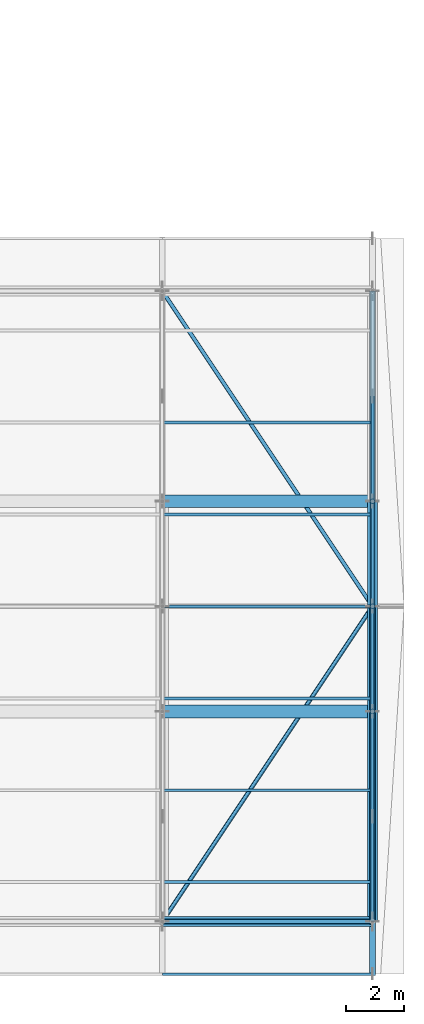
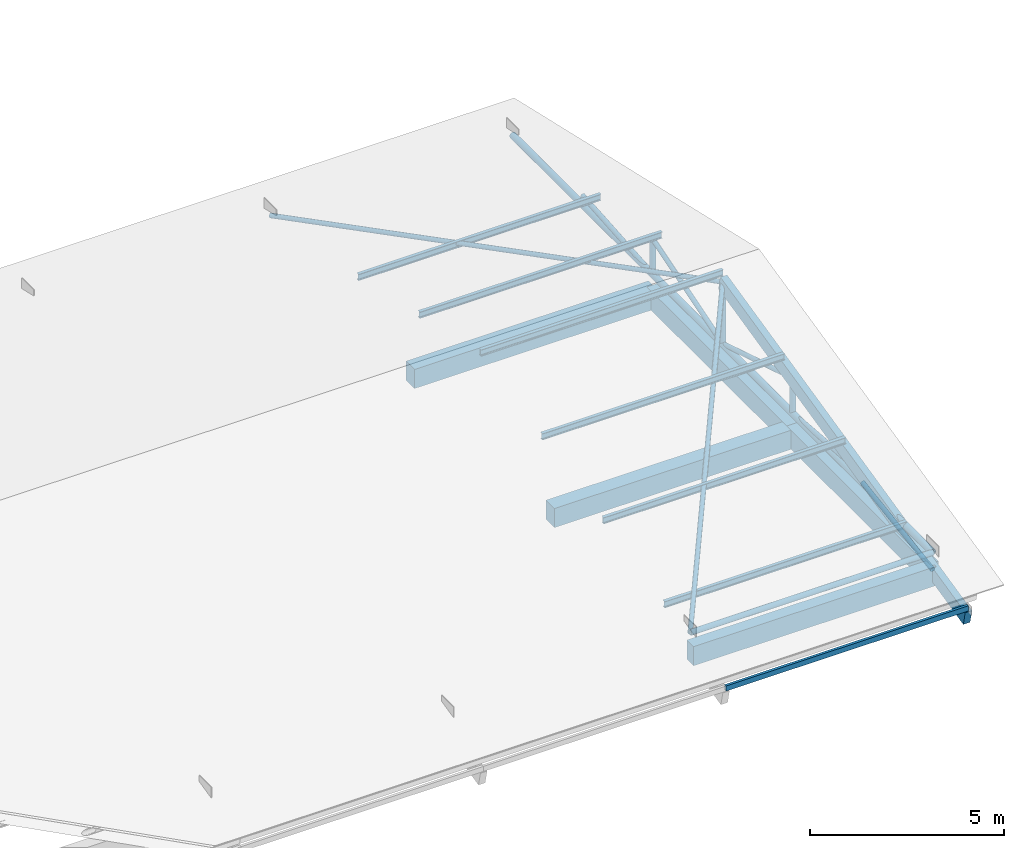
# One storey, part 58 of 93: 20 members, 5 beams.
"""IFC4 building model written with IfcOpenShell, lengths in metres."""

from ifc_helpers import new_model, si_unit, direction, frame, origin, origin_2d, place, context, subcontext, project, spatial, rectangle, hollow_rectangle, hollow_circle, i_section, extrude, material, material_profile, profile_set, type_object, element, save


model = new_model("IFC4")

# Units and contexts
model_context = context("Model", 3, precision=1e-05, world=origin(), true_north=direction((0.0, 1.0)))
body_context = subcontext(model_context, "Body", "Model", "MODEL_VIEW")
ifc_project = project(units=[si_unit("LENGTHUNIT", "METRE"), si_unit("AREAUNIT", "SQUARE_METRE"), si_unit("VOLUMEUNIT", "CUBIC_METRE"), si_unit("PLANEANGLEUNIT", "RADIAN"), si_unit("MASSUNIT", "GRAM", prefix="KILO")], contexts=[model_context])

# Site, building, storey
site_placement = place(None, origin())
site = spatial("IfcSite", under=ifc_project, at=site_placement, CompositionType="ELEMENT")
building_placement = place(site_placement, origin())
building = spatial("IfcBuilding", under=site, at=building_placement, Name="Zornivar Specialist Clinic", CompositionType="ELEMENT")
storey_placement = place(building_placement, frame((0.0, 0.0, 8.39990234375)))
storey = spatial("IfcBuildingStorey", under=building, at=storey_placement, Name="L02", CompositionType="ELEMENT", Elevation=8.39990234375)

# Beams
ifc_material_1 = material(Name="Concrete C30/37", Category="concrete")
ifc_material_profile_1 = material_profile(ifc_material_1, rectangle(XDim=0.43994140625, YDim=0.60009765625, at=origin_2d()), Name="RC 440x600")
ifc_profile_set_1 = profile_set([ifc_material_profile_1], Name="Concrete C30/37")
beam_type_1 = type_object("IfcBeamType", Name="BM-RC-440x600", PredefinedType="BEAM", material=ifc_profile_set_1)
for number, where, z_axis, x_axis, name in (
    (1, (158.39990234375, 7.199951171875, -0.2998046875), (1.0, 0.0, 0.0), (0.0, 1.0, 0.0), "bm:V4:L02:x:72:5"),
    (2, (158.39990234375, 14.39990234375, -0.2998046875), (1.0, 0.0, 0.0), (0.0, 1.0, 0.0), "bm:V4:L02:x:144:5"),
):
    element("IfcBeam", number, at=place(storey_placement, frame(where, z_axis=z_axis, x_axis=x_axis)), inside=storey, type_object=beam_type_1, Name=name, PredefinedType="BEAM", context=body_context, shape_type="SweptSolid", body=[
        extrude(rectangle(XDim=0.43994140625, YDim=0.60009765625, at=origin_2d()), origin(), (0.0, 0.0, 1.0), 7.2001953125),
    ])
ifc_material_2 = material(Name="Concrete C30/37", Category="concrete")
ifc_material_profile_2 = material_profile(ifc_material_2, rectangle(XDim=0.35009765625, YDim=0.60009765625, at=origin_2d()), Name="RC 350x600")
ifc_profile_set_2 = profile_set([ifc_material_profile_2], Name="Concrete C30/37")
beam_type_2 = type_object("IfcBeamType", Name="BM-RC-SPANDREL-350x600", PredefinedType="SPANDREL", material=ifc_profile_set_2)
beam_placement = place(storey_placement, frame((158.39990234375, 0.0, -0.2998046875), z_axis=(1.0, 0.0, 0.0), x_axis=(0.0, 1.0, 0.0)))
element("IfcBeam", 3, at=beam_placement, inside=storey, type_object=beam_type_2, Name="bm:V4:L02:x:0:5", PredefinedType="SPANDREL", context=body_context, shape_type="SweptSolid", body=[
    extrude(rectangle(XDim=0.35009765625, YDim=0.60009765625, at=origin_2d()), origin(), (0.0, 0.0, 1.0), 7.2001953125),
])
for number, where, z_axis, x_axis, name in (
    (4, (165.60009765625, 0.0, -0.2998046875), (0.0, 1.0, 0.0), (-1.0, 0.0, 0.0), "bm:V4:L02:y:1656:0"),
    (5, (165.60009765625, 7.199951171875, -0.2998046875), (0.0, 1.0, 0.0), (-1.0, 0.0, 0.0), "bm:V4:L02:y:1656:1"),
):
    element("IfcBeam", number, at=place(storey_placement, frame(where, z_axis=z_axis, x_axis=x_axis)), inside=storey, type_object=beam_type_2, Name=name, PredefinedType="SPANDREL", context=body_context, shape_type="SweptSolid", body=[
        extrude(rectangle(XDim=0.35009765625, YDim=0.60009765625, at=origin_2d()), origin(), (0.0, 0.0, 1.0), 7.199951171875),
    ])

# Members
ifc_material_3 = material(Name="Steel S355J2", Category="steel")
ifc_material_profile_3 = material_profile(ifc_material_3, hollow_circle(Radius=0.096923828125, WallThickness=0.010009765625, at=origin_2d()), Name="CHS 193.7x10")
ifc_profile_set_3 = profile_set([ifc_material_profile_3], Name="Steel S355J2")
member_type_1 = type_object("IfcMemberType", Name="MEM-CHORD-CHS194", PredefinedType="CHORD", material=ifc_profile_set_3)
member_1_placement = place(storey_placement, frame((165.60009765625, 0.0, 0.340087890625), z_axis=(0.0, 1.0, 0.0), x_axis=(-1.0, 0.0, 0.0)))
element("IfcMember", 6, at=member_1_placement, inside=storey, type_object=member_type_1, Name="mem:V4:L02:bchord:6", PredefinedType="CHORD", context=body_context, shape_type="SweptSolid", body=[
    extrude(hollow_circle(Radius=0.096923828125, WallThickness=0.010009765625, at=origin_2d()), origin(), (0.0, 0.0, 1.0), 21.60009765625),
])
ifc_material_4 = material(Name="Steel S355J2", Category="steel")
ifc_material_profile_4 = material_profile(ifc_material_4, hollow_circle(Radius=0.06982421875, WallThickness=0.008056640625, at=origin_2d()), Name="CHS 139.7x8")
ifc_profile_set_4 = profile_set([ifc_material_profile_4], Name="Steel S355J2")
member_type_2 = type_object("IfcMemberType", Name="MEM-DIAG-CHS140", PredefinedType="BRACE", material=ifc_profile_set_4)
member_2_placement = place(storey_placement, frame((165.60009765625, 10.800048828125, 0.340087890625), z_axis=(0.0, -0.955308543941, 0.29561053072), x_axis=(1.0, 0.0, 0.0)))
element("IfcMember", 7, at=member_2_placement, inside=storey, type_object=member_type_2, Name="mem:V4:L02:diag:6:S:0", PredefinedType="BRACE", context=body_context, shape_type="SweptSolid", body=[
    extrude(hollow_circle(Radius=0.06982421875, WallThickness=0.008056640625, at=origin_2d()), origin(), (0.0, 0.0, 1.0), 3.7685546875),
])
member_3_placement = place(storey_placement, frame((165.60009765625, 7.199951171875, 0.340087890625), z_axis=(0.0, -0.996882634823, 0.0788987477), x_axis=(1.0, 0.0, 0.0)))
element("IfcMember", 8, at=member_3_placement, inside=storey, type_object=member_type_2, Name="mem:V4:L02:diag:6:S:1", PredefinedType="BRACE", context=body_context, shape_type="SweptSolid", body=[
    extrude(hollow_circle(Radius=0.06982421875, WallThickness=0.008056640625, at=origin_2d()), origin(), (0.0, 0.0, 1.0), 3.611083984375),
])
member_4_placement = place(storey_placement, frame((165.60009765625, 10.800048828125, 0.340087890625), z_axis=(0.0, 0.955302882206, 0.295628826823), x_axis=(-1.0, 0.0, 0.0)))
element("IfcMember", 9, at=member_4_placement, inside=storey, type_object=member_type_2, Name="mem:V4:L02:diag:6:N:0", PredefinedType="BRACE", context=body_context, shape_type="SweptSolid", body=[
    extrude(hollow_circle(Radius=0.06982421875, WallThickness=0.008056640625, at=origin_2d()), origin(), (0.0, 0.0, 1.0), 3.768310546875),
])
member_5_placement = place(storey_placement, frame((165.60009765625, 14.39990234375, 0.340087890625), z_axis=(0.0, 0.996883055642, 0.078893430485), x_axis=(-1.0, 0.0, 0.0)))
element("IfcMember", 10, at=member_5_placement, inside=storey, type_object=member_type_2, Name="mem:V4:L02:diag:6:N:1", PredefinedType="BRACE", context=body_context, shape_type="SweptSolid", body=[
    extrude(hollow_circle(Radius=0.06982421875, WallThickness=0.008056640625, at=origin_2d()), origin(), (0.0, 0.0, 1.0), 3.611328125),
])
ifc_material_5 = material(Name="Steel S355J2", Category="steel")
ifc_material_profile_5 = material_profile(ifc_material_5, hollow_circle(Radius=0.06982421875, WallThickness=0.010009765625, at=origin_2d()), Name="CHS 139.7x10")
ifc_profile_set_5 = profile_set([ifc_material_profile_5], Name="Steel S355J2")
member_type_3 = type_object("IfcMemberType", Name="MEM-DIAG-CHS140H", PredefinedType="BRACE", material=ifc_profile_set_5)
member_6_placement = place(storey_placement, frame((165.60009765625, 3.60009765625, 0.340087890625), z_axis=(0.0, -0.988817004891, -0.149133935906), x_axis=(1.0, 0.0, 0.0)))
element("IfcMember", 11, at=member_6_placement, inside=storey, type_object=member_type_3, Name="mem:V4:L02:diag:6:S:2", PredefinedType="BRACE", context=body_context, shape_type="SweptSolid", body=[
    extrude(hollow_circle(Radius=0.06982421875, WallThickness=0.010009765625, at=origin_2d()), origin(), (0.0, 0.0, 1.0), 3.640869140625),
])
ifc_material_6 = material(Name="Steel S355J2", Category="steel")
ifc_material_profile_6 = material_profile(ifc_material_6, hollow_rectangle(XDim=0.080078125, YDim=0.159912109375, WallThickness=0.008056640625, at=origin_2d()), Name="RHS 160x80x8")
ifc_profile_set_6 = profile_set([ifc_material_profile_6], Name="Steel S355J2")
member_type_4 = type_object("IfcMemberType", Name="MEM-EAVE-RHS160", PredefinedType="USERDEFINED", material=ifc_profile_set_6)
member_7_placement = place(storey_placement, frame((158.39990234375, -1.800048828125, -0.305908203125), z_axis=(1.0, 0.0, 0.0), x_axis=(0.0, 1.0, 0.0)))
element("IfcMember", 12, at=member_7_placement, inside=storey, type_object=member_type_4, Name="mem:V4:L02:purl:5:00", ObjectType="EAVE RAFTER", PredefinedType="USERDEFINED", context=body_context, shape_type="SweptSolid", body=[
    extrude(hollow_rectangle(XDim=0.080078125, YDim=0.159912109375, WallThickness=0.008056640625, at=origin_2d()), origin(), (0.0, 0.0, 1.0), 7.2001953125),
])
ifc_material_7 = material(Name="Steel S355J2", Category="steel")
ifc_material_profile_7 = material_profile(ifc_material_7, hollow_circle(Radius=0.084228515625, WallThickness=0.012451171875, at=origin_2d()), Name="CHS 168.3x12.5")
ifc_profile_set_7 = profile_set([ifc_material_profile_7], Name="Steel S355J2")
member_type_5 = type_object("IfcMemberType", Name="MEM-KING-CHS168H", PredefinedType="STRUT", material=ifc_profile_set_7)
member_8_placement = place(storey_placement, frame((165.60009765625, 10.800048828125, 0.340087890625), z_axis=(0.0, 0.0, 1.0), x_axis=(1.0, 0.0, 0.0)))
element("IfcMember", 13, at=member_8_placement, inside=storey, type_object=member_type_5, Name="mem:V4:L02:king:6", PredefinedType="STRUT", context=body_context, shape_type="SweptSolid", body=[
    extrude(hollow_circle(Radius=0.084228515625, WallThickness=0.012451171875, at=origin_2d()), origin(), (0.0, 0.0, 1.0), 1.94189453125),
])
ifc_material_8 = material(Name="Steel S355J2", Category="steel")
ifc_material_profile_8 = material_profile(ifc_material_8, i_section(OverallWidth=0.10009765625, OverallDepth=0.199951171875, WebThickness=0.005615234375, FlangeThickness=0.008544921875, FilletRadius=0.011962890625, at=origin_2d()), Name="IPE 200")
ifc_profile_set_8 = profile_set([ifc_material_profile_8], Name="Steel S355J2")
member_type_6 = type_object("IfcMemberType", Name="MEM-PURLIN-IPE200", PredefinedType="PURLIN", material=ifc_profile_set_8)
for number, where, z_axis, x_axis, name in (
    (14, (158.39990234375, 1.35009765625, 0.419189453125), (1.0, 0.0, 0.0), (0.0, 1.0, 0.0), "mem:V4:L02:purl:5:01"),
    (15, (158.39990234375, 4.5, 1.14404296875), (1.0, 0.0, 0.0), (0.0, 1.0, 0.0), "mem:V4:L02:purl:5:02"),
    (16, (158.39990234375, 7.64990234375, 1.869140625), (1.0, 0.0, 0.0), (0.0, 1.0, 0.0), "mem:V4:L02:purl:5:03"),
    (17, (158.39990234375, 10.800048828125, 2.593994140625), (1.0, 0.0, 0.0), (0.0, 1.0, 0.0), "mem:V4:L02:purl:5:04"),
    (18, (158.39990234375, 13.949951171875, 1.869140625), (1.0, 0.0, 0.0), (0.0, 1.0, 0.0), "mem:V4:L02:purl:5:05"),
    (19, (158.39990234375, 17.10009765625, 1.14404296875), (1.0, 0.0, 0.0), (0.0, 1.0, 0.0), "mem:V4:L02:purl:5:06"),
):
    element("IfcMember", number, at=place(storey_placement, frame(where, z_axis=z_axis, x_axis=x_axis)), inside=storey, type_object=member_type_6, Name=name, PredefinedType="PURLIN", context=body_context, shape_type="SweptSolid", body=[
        extrude(i_section(OverallWidth=0.10009765625, OverallDepth=0.199951171875, WebThickness=0.005615234375, FlangeThickness=0.008544921875, FilletRadius=0.011962890625, at=origin_2d()), origin(), (0.0, 0.0, 1.0), 7.2001953125),
    ])
ifc_material_9 = material(Name="Glulam GL28h", Category="wood")
ifc_material_profile_9 = material_profile(ifc_material_9, rectangle(XDim=0.199951171875, YDim=0.43994140625, at=origin_2d()), Name="GL28h 200x440")
ifc_profile_set_9 = profile_set([ifc_material_profile_9], Name="Glulam GL28h")
member_type_7 = type_object("IfcMemberType", Name="MEM-RAFTER-GL440", PredefinedType="RAFTER", material=ifc_profile_set_9)
member_9_placement = place(storey_placement, frame((165.60009765625, -1.800048828125, -0.617919921875), z_axis=(0.0, 0.974523416147, 0.224285780604), x_axis=(-1.0, 0.0, 0.0)))
element("IfcMember", 20, at=member_9_placement, inside=storey, type_object=member_type_7, Name="mem:V4:L02:rafS:6", PredefinedType="RAFTER", context=body_context, shape_type="SweptSolid", body=[
    extrude(rectangle(XDim=0.199951171875, YDim=0.43994140625, at=origin_2d()), origin(), (0.0, 0.0, 1.0), 12.929443359375),
])
ifc_material_10 = material(Name="Steel S355J2", Category="steel")
ifc_material_profile_10 = material_profile(ifc_material_10, hollow_circle(Radius=0.084228515625, WallThickness=0.010009765625, at=origin_2d()), Name="CHS 168.3x10")
ifc_profile_set_10 = profile_set([ifc_material_profile_10], Name="Steel S355J2")
member_type_8 = type_object("IfcMemberType", Name="MEM-STRUT-CHS168", PredefinedType="STRUT", material=ifc_profile_set_10)
for number, where, z_axis, x_axis, name in (
    (21, (165.60009765625, 7.199951171875, 0.340087890625), (0.0, 0.0, 1.0), (1.0, 0.0, 0.0), "mem:V4:L02:vert:6:S:1"),
    (22, (165.60009765625, 14.39990234375, 0.340087890625), (0.0, 0.0, 1.0), (1.0, 0.0, 0.0), "mem:V4:L02:vert:6:N:1"),
):
    element("IfcMember", number, at=place(storey_placement, frame(where, z_axis=z_axis, x_axis=x_axis)), inside=storey, type_object=member_type_8, Name=name, PredefinedType="STRUT", context=body_context, shape_type="SweptSolid", body=[
        extrude(hollow_circle(Radius=0.084228515625, WallThickness=0.010009765625, at=origin_2d()), origin(), (0.0, 0.0, 1.0), 1.114013671875),
    ])
member_10_placement = place(storey_placement, frame((158.39990234375, 0.0, 0.340087890625), z_axis=(1.0, 0.0, 0.0), x_axis=(0.0, 1.0, 0.0)))
element("IfcMember", 23, at=member_10_placement, inside=storey, type_object=member_type_8, Name="mem:V4:L02:ltieS:5", PredefinedType="STRUT", context=body_context, shape_type="SweptSolid", body=[
    extrude(hollow_circle(Radius=0.084228515625, WallThickness=0.010009765625, at=origin_2d()), origin(), (0.0, 0.0, 1.0), 7.2001953125),
])
ifc_material_11 = material(Name="Steel S355J2", Category="steel")
ifc_material_profile_11 = material_profile(ifc_material_11, hollow_circle(Radius=0.06982421875, WallThickness=0.008056640625, at=origin_2d()), Name="CHS 139.7x8")
ifc_profile_set_11 = profile_set([ifc_material_profile_11], Name="Steel S355J2")
member_type_9 = type_object("IfcMemberType", Name="MEM-WIND-CHS140", PredefinedType="BRACE", material=ifc_profile_set_11)
for number, where, z_axis, x_axis, name in (
    (24, (158.39990234375, 0.0, 0.340087890625), (0.54860351225, 0.822886666602, 0.147958508627), (-0.832044506972, 0.554708877176, 0.0), "mem:V4:L02:wbraceS:5"),
    (25, (158.39990234375, 21.60009765625, 0.340087890625), (0.54860351225, -0.822886666602, 0.147958508627), (0.832044506972, 0.554708877176, 0.0), "mem:V4:L02:wbraceN:5"),
):
    element("IfcMember", number, at=place(storey_placement, frame(where, z_axis=z_axis, x_axis=x_axis)), inside=storey, type_object=member_type_9, Name=name, PredefinedType="BRACE", context=body_context, shape_type="SweptSolid", body=[
        extrude(hollow_circle(Radius=0.06982421875, WallThickness=0.008056640625, at=origin_2d()), origin(), (0.0, 0.0, 1.0), 13.12451171875),
    ])

save(model, "model.ifc")
